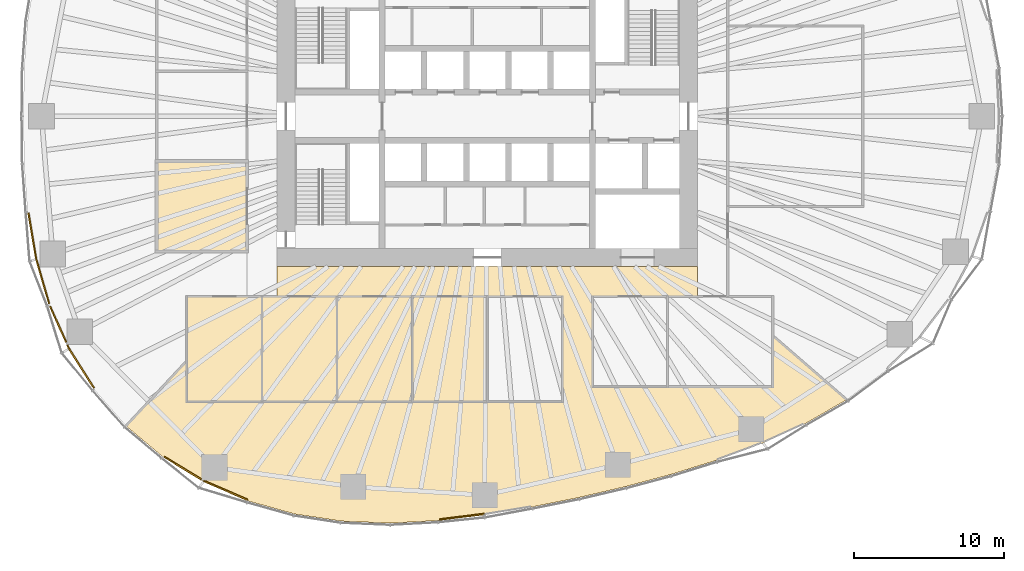
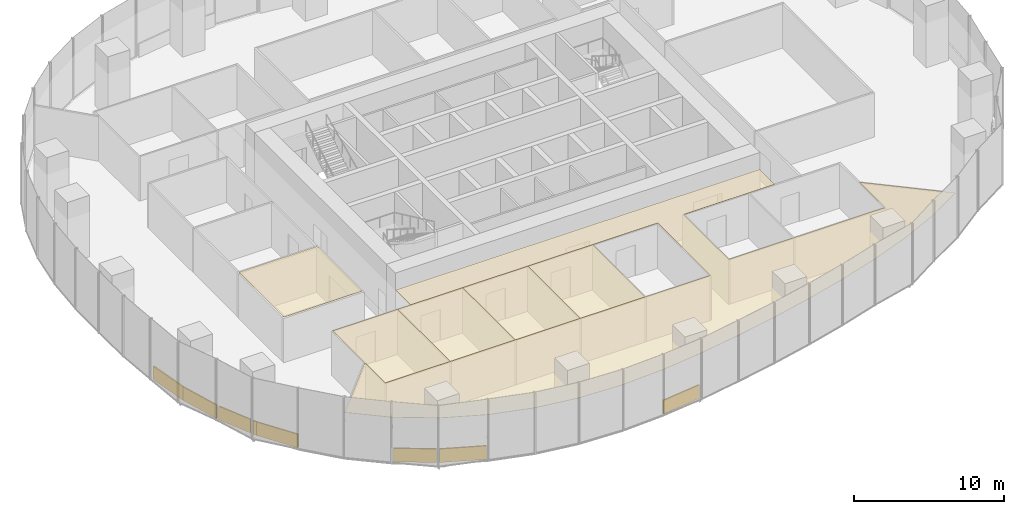
# One storey, part 17 of 20: 14 coverings.
"""IFC4 building model written with IfcOpenShell, lengths in metres."""

import ifcopenshell
import ifcopenshell.guid

model = None  # the IFC model being written
_history = None  # IfcOwnerHistory: only IFC2X3 demands one
_inside = {}  # id of a spatial element -> (the spatial element, [elements in it])
_under = {}  # id of a project, library or spatial element -> (it, [spatial elements below it])
_declared = {}  # id of a project -> (the project, [libraries it declares])
_typed = {}  # id of a type object -> (the type object, [elements of that type])
_made_of = {}  # id of a material, layer set ... -> (it, [elements and type objects made of it])


def new_model(schema):
    """Start an empty IFC model of exactly this schema.

    Asked for "IFC4X3", IfcOpenShell would pick the latest addendum, in which some entities
    have other attributes; the version numbers below select the first issue.
    IFC2X3 requires an IfcOwnerHistory on every rooted entity: one is made here for all.
    """
    global model, _history
    if schema == "IFC4X3":
        model = ifcopenshell.file(schema_version=(4, 3, 0, 0))
    else:
        model = ifcopenshell.file(schema=schema)
    _inside.clear()
    _under.clear()
    _declared.clear()
    _typed.clear()
    _made_of.clear()
    _history = None
    if model.schema == "IFC2X3":
        org = make("IfcOrganization", Name="unknown")
        user = make(
            "IfcPersonAndOrganization",
            ThePerson=make("IfcPerson", FamilyName="unknown"),
            TheOrganization=org,
        )
        app = make(
            "IfcApplication",
            ApplicationDeveloper=org,
            Version="unknown",
            ApplicationFullName="unknown",
            ApplicationIdentifier="unknown",
        )
        _history = make(
            "IfcOwnerHistory",
            OwningUser=user,
            OwningApplication=app,
            ChangeAction="ADDED",
            CreationDate=0,
        )
    return model


def make(cls, **values):
    """One entity of the class cls with the attributes given. An attribute that is None is left unset."""
    return model.create_entity(
        cls, **{name: value for name, value in values.items() if value is not None}
    )


def rooted(cls, **values):
    """An entity with a GlobalId (a new one), such as an element, a storey or a relation."""
    return make(cls, GlobalId=ifcopenshell.guid.new(), OwnerHistory=_history, **values)


def si_unit(unit_type, name, prefix=None):
    """IfcSIUnit, for example si_unit("LENGTHUNIT", "METRE", prefix="MILLI")."""
    return make("IfcSIUnit", UnitType=unit_type, Prefix=prefix, Name=name)


def assignment(units):
    """IfcUnitAssignment: the units of a project."""
    return None if units is None else make("IfcUnitAssignment", Units=units)


def point(xyz):
    """IfcCartesianPoint."""
    return None if xyz is None else make("IfcCartesianPoint", Coordinates=xyz)


def direction(xyz):
    """IfcDirection."""
    return None if xyz is None else make("IfcDirection", DirectionRatios=xyz)


def frame(location, z_axis=None, x_axis=None):
    """IfcAxis2Placement3D, a coordinate frame: its origin and axes. An axis left out is left unset."""
    return make(
        "IfcAxis2Placement3D",
        Location=point(location),
        Axis=direction(z_axis),
        RefDirection=direction(x_axis),
    )


def frame_2d(location, x_axis=None):
    """IfcAxis2Placement2D, a coordinate frame in the plane: its origin and x axis."""
    return make(
        "IfcAxis2Placement2D", Location=point(location), RefDirection=direction(x_axis)
    )


def origin():
    """The frame at (0, 0, 0) with its axes left unset."""
    return frame((0.0, 0.0, 0.0))


def origin_2d():
    """The frame at (0, 0) in the plane with its x axis left unset."""
    return frame_2d((0.0, 0.0))


def place(relative_to, where):
    """IfcLocalPlacement: puts the frame where relative to a parent placement (None: the world)."""
    return make(
        "IfcLocalPlacement", PlacementRelTo=relative_to, RelativePlacement=where
    )


def context(
    kind, dimensions, precision=None, world=None, true_north=None, identifier=None
):
    """IfcGeometricRepresentationContext, for example the 3D "Model" context."""
    return make(
        "IfcGeometricRepresentationContext",
        ContextIdentifier=identifier,
        ContextType=kind,
        CoordinateSpaceDimension=dimensions,
        Precision=precision,
        WorldCoordinateSystem=world,
        TrueNorth=true_north,
    )


def subcontext(parent, identifier, kind, view, scale=None):
    """IfcGeometricRepresentationSubContext, for example "Body" below "Model"."""
    return make(
        "IfcGeometricRepresentationSubContext",
        ContextIdentifier=identifier,
        ContextType=kind,
        ParentContext=parent,
        TargetScale=scale,
        TargetView=view,
    )


def project(units=None, contexts=None):
    """IfcProject with its units and contexts."""
    return rooted(
        "IfcProject",
        Name="project",
        RepresentationContexts=contexts,
        UnitsInContext=assignment(units),
    )


def spatial(cls, under=None, at=None, **own):
    """A site, building, storey or space (cls), placed at a placement, below another one or the project."""
    s = rooted(cls, ObjectPlacement=at, **own)
    if under is not None:
        _under.setdefault(under.id(), (under, []))[1].append(s)
    return s


def polyline(points):
    """IfcPolyline through the points."""
    return make("IfcPolyline", Points=[point(p) for p in points])


def profile(cls, at=None, kind="AREA", **sizes):
    """A parametric profile (cls). Its sizes go by their IFC names, for example OverallWidth=200.0."""
    return make(cls, ProfileType=kind, Position=at, **sizes)


def rectangle(**sizes):
    """IfcRectangleProfileDef."""
    return profile("IfcRectangleProfileDef", **sizes)


def outline(outer, holes=None, kind="AREA"):
    """IfcArbitraryClosedProfileDef: a profile drawn as a closed curve; with holes, ...WithVoids."""
    if holes is None:
        return make("IfcArbitraryClosedProfileDef", ProfileType=kind, OuterCurve=outer)
    return make(
        "IfcArbitraryProfileDefWithVoids",
        ProfileType=kind,
        OuterCurve=outer,
        InnerCurves=holes,
    )


def extrude(swept, where, along, depth):
    """IfcExtrudedAreaSolid: the profile swept, set in the frame where, extruded along a direction by depth."""
    return make(
        "IfcExtrudedAreaSolid",
        SweptArea=swept,
        Position=where,
        ExtrudedDirection=direction(along),
        Depth=depth,
    )


def shape(context_of_items, identifier, shape_type, items):
    """IfcShapeRepresentation: the items that make up one representation, for example the "Body"."""
    return make(
        "IfcShapeRepresentation",
        ContextOfItems=context_of_items,
        RepresentationIdentifier=identifier,
        RepresentationType=shape_type,
        Items=items,
    )


def material(Name=None, Category=None):
    """IfcMaterial."""
    return make("IfcMaterial", Name=Name, Category=Category)


def layer(
    of_material, thickness, ventilated=None, Name=None, Category=None, Priority=None
):
    """IfcMaterialLayer: one layer of a wall or slab, of a material (None: an air gap)."""
    return make(
        "IfcMaterialLayer",
        Material=of_material,
        LayerThickness=thickness,
        IsVentilated=ventilated,
        Name=Name,
        Category=Category,
        Priority=Priority,
    )


def layer_set(layers, Name=None):
    """IfcMaterialLayerSet."""
    return make("IfcMaterialLayerSet", MaterialLayers=layers, LayerSetName=Name)


def made_of(thing, what):
    """Note that an element or type object is made of a material, layer set ...; save() writes the relation."""
    if what is not None:
        _made_of.setdefault(what.id(), (what, []))[1].append(thing)
    return thing


def type_object(cls, material=None, **own):
    """A type object (cls), such as IfcWallType, which elements share."""
    return made_of(rooted(cls, **own), material)


def element(
    cls,
    number,
    at=None,
    inside=None,
    cuts=None,
    type_object=None,
    material=None,
    context=None,
    identifier="Body",
    shape_type=None,
    held_by="IfcProductDefinitionShape",
    body=None,
    shapes=None,
    **own,
):
    """One element of the class cls, such as IfcWall. Its Tag is "e" and its number.

    at: its placement. inside: the storey or other place that contains it. cuts: it is an
    opening in that element (IfcRelVoidsElement). A single representation is given by context,
    identifier, shape_type and body (its items); several are given by shapes. held_by: the class
    of the entity that holds the representations. save() writes the other relations.
    """
    e = rooted(cls, Tag="e%d" % number, ObjectPlacement=at, **own)
    if body is not None:
        shapes = [shape(context, identifier, shape_type, body)]
    if shapes is not None:
        e.Representation = make(held_by, Representations=shapes)
    if inside is not None:
        _inside.setdefault(inside.id(), (inside, []))[1].append(e)
    if cuts is not None:
        rooted(
            "IfcRelVoidsElement", RelatingBuildingElement=cuts, RelatedOpeningElement=e
        )
    if type_object is not None:
        _typed.setdefault(type_object.id(), (type_object, []))[1].append(e)
    return made_of(e, material)


def aggregate(whole, parts):
    """IfcRelAggregates: a whole, such as a stair, and the parts it consists of."""
    return rooted("IfcRelAggregates", RelatingObject=whole, RelatedObjects=parts)


def save(model, path):
    """Write the relations noted so far, then the file.

    IfcRelAggregates (storeys below a building ...), IfcRelContainedInSpatialStructure (elements
    in a storey), IfcRelDefinesByType, IfcRelAssociatesMaterial and IfcRelDeclares: one each for
    every whole, place, type object, material and project.
    """
    for whole, parts in _under.values():
        aggregate(whole, parts)
    for where, things in _inside.values():
        rooted(
            "IfcRelContainedInSpatialStructure",
            RelatedElements=things,
            RelatingStructure=where,
        )
    for kind, things in _typed.values():
        rooted("IfcRelDefinesByType", RelatedObjects=things, RelatingType=kind)
    for what, things in _made_of.values():
        rooted("IfcRelAssociatesMaterial", RelatedObjects=things, RelatingMaterial=what)
    for by, libraries in _declared.values():
        rooted("IfcRelDeclares", RelatingContext=by, RelatedDefinitions=libraries)
    model.write(path)


model = new_model("IFC4")

# Units and contexts
model_context = context("Model", 3, precision=1e-05, world=origin(), true_north=direction((0.0, 1.0)))
body_context = subcontext(model_context, "Body", "Model", "MODEL_VIEW")
ifc_project = project(units=[si_unit("LENGTHUNIT", "METRE"), si_unit("AREAUNIT", "SQUARE_METRE"), si_unit("VOLUMEUNIT", "CUBIC_METRE"), si_unit("PLANEANGLEUNIT", "RADIAN"), si_unit("MASSUNIT", "GRAM", prefix="KILO")], contexts=[model_context])

# Site, building, storey
site_placement = place(None, origin())
site = spatial("IfcSite", under=ifc_project, at=site_placement, CompositionType="ELEMENT")
building_placement = place(site_placement, origin())
building = spatial("IfcBuilding", under=site, at=building_placement, Name="Ghaith Harvest Tower", CompositionType="ELEMENT")
storey_placement = place(building_placement, frame((0.0, 0.0, 55.0)))
storey = spatial("IfcBuildingStorey", under=building, at=storey_placement, Name="L11", CompositionType="ELEMENT", Elevation=55.0)

# Coverings
ifc_material_1 = material(Name="Mineral fibre ceiling tile", Category="gypsum")
ifc_layer_1 = layer(ifc_material_1, 0.02490234375)
ifc_layer_set_1 = layer_set([ifc_layer_1], Name="CEILING C2")
covering_type_1 = type_object("IfcCoveringType", Name="CEILING C2", PredefinedType="CEILING", material=ifc_layer_set_1)
covering_1_placement = place(storey_placement, frame((0.0, 0.0, 3.60009765625)))
element("IfcCovering", 1, at=covering_1_placement, inside=storey, type_object=covering_type_1, Name="Ceiling L11-01", PredefinedType="CEILING", context=body_context, shape_type="SweptSolid", body=[
    extrude(outline(polyline([(-20.0, -19.0), (-15.0, -19.0), (-15.0, -12.0), (-20.0, -12.0), (-20.0, -19.0)])), origin(), (0.0, 0.0, 1.0), 0.02490234375),
])
covering_2_placement = place(storey_placement, frame((0.0, 0.0, 3.60009765625)))
element("IfcCovering", 2, at=covering_2_placement, inside=storey, type_object=covering_type_1, Name="Ceiling L11-02", PredefinedType="CEILING", context=body_context, shape_type="SweptSolid", body=[
    extrude(outline(polyline([(-15.0, -19.0), (-10.0, -19.0), (-10.0, -12.0), (-15.0, -12.0), (-15.0, -19.0)])), origin(), (0.0, 0.0, 1.0), 0.02490234375),
])
covering_3_placement = place(storey_placement, frame((0.0, 0.0, 3.60009765625)))
element("IfcCovering", 3, at=covering_3_placement, inside=storey, type_object=covering_type_1, Name="Ceiling L11-03", PredefinedType="CEILING", context=body_context, shape_type="SweptSolid", body=[
    extrude(outline(polyline([(-10.0, -19.0), (-5.0, -19.0), (-5.0, -12.0), (-10.0, -12.0), (-10.0, -19.0)])), origin(), (0.0, 0.0, 1.0), 0.02490234375),
])
covering_4_placement = place(storey_placement, frame((0.0, 0.0, 3.60009765625)))
element("IfcCovering", 4, at=covering_4_placement, inside=storey, type_object=covering_type_1, Name="Ceiling L11-04", PredefinedType="CEILING", context=body_context, shape_type="SweptSolid", body=[
    extrude(outline(polyline([(-5.0, -19.0), (0.0, -19.0), (0.0, -12.0), (-5.0, -12.0), (-5.0, -19.0)])), origin(), (0.0, 0.0, 1.0), 0.02490234375),
])
covering_5_placement = place(storey_placement, frame((0.0, 0.0, 3.60009765625)))
element("IfcCovering", 5, at=covering_5_placement, inside=storey, type_object=covering_type_1, Name="Ceiling L11-14", PredefinedType="CEILING", context=body_context, shape_type="SweptSolid", body=[
    extrude(outline(polyline([(-22.0, -9.0), (-16.0, -9.0), (-16.0, -3.0), (-22.0, -3.0), (-22.0, -9.0)])), origin(), (0.0, 0.0, 1.0), 0.02490234375),
])
covering_6_placement = place(storey_placement, frame((0.0, 0.0, 3.60009765625)))
element("IfcCovering", 6, at=covering_6_placement, inside=storey, type_object=covering_type_1, Name="Ceiling L11-S1", PredefinedType="CEILING", context=body_context, shape_type="SweptSolid", body=[
    extrude(outline(polyline([(-15.907958984375, -25.614501953125), (-18.8935546875, -24.32763671875), (-21.59912109375, -22.671142578125), (-24.04833984375, -20.618408203125), (-20.0, -16.283203125), (-20.0, -19.0), (5.0, -19.0), (5.0, -12.0), (-14.0, -12.0), (-14.0, -10.0), (14.0, -10.0), (14.0, -12.0), (7.0, -12.0), (7.0, -18.0), (19.0, -18.0), (19.0, -14.60205078125), (23.92431640625, -18.873046875), (21.149169921875, -20.469482421875), (18.34521484375, -21.7548828125), (15.22119140625, -22.916259765625), (12.1796875, -23.857666015625), (9.21533203125, -24.65087890625), (6.10888671875, -25.378662109375), (2.99560546875, -26.004150390625), (-0.181396484375, -26.527099609375), (-3.24755859375, -26.91064453125), (-6.4375, -27.0849609375), (-9.733642578125, -26.949951171875), (-12.828125, -26.476806640625), (-15.907958984375, -25.614501953125)])), origin(), (0.0, 0.0, 1.0), 0.02490234375),
])
ifc_material_2 = material(Name="Insulated aluminium spandrel panel on steel framing", Category="steel")
ifc_layer_2 = layer(ifc_material_2, 0.10009765625)
ifc_layer_set_2 = layer_set([ifc_layer_2], Name="SLAB EDGE UPSTAND 1100x100")
covering_type_2 = type_object("IfcCoveringType", Name="SLAB EDGE UPSTAND 1100x100", PredefinedType="CLADDING", material=ifc_layer_set_2)
covering_7_placement = place(storey_placement, frame((-30.28271484375, -7.982177734375, 0.0), z_axis=(0.0, 0.0, 1.0), x_axis=(0.165246181786, -0.986252350773, 0.0)))
element("IfcCovering", 7, at=covering_7_placement, inside=storey, type_object=covering_type_2, Name="Slab edge upstand 3 bay 11 L11", PredefinedType="CLADDING", context=body_context, shape_type="SweptSolid", body=[
    extrude(rectangle(XDim=3.124267578125, YDim=0.10009765625, at=origin_2d()), origin(), (0.0, 0.0, 1.0), 1.10009765625),
])
covering_8_placement = place(storey_placement, frame((-29.593994140625, -10.997314453125, 0.0), z_axis=(0.0, 0.0, 1.0), x_axis=(0.280032411303, -0.95999054611, 0.0)))
element("IfcCovering", 8, at=covering_8_placement, inside=storey, type_object=covering_type_2, Name="Slab edge upstand 1 bay 12 L11", PredefinedType="CLADDING", context=body_context, shape_type="SweptSolid", body=[
    extrude(rectangle(XDim=3.084228515625, YDim=0.10009765625, at=origin_2d()), origin(), (0.0, 0.0, 1.0), 1.10009765625),
])
covering_9_placement = place(storey_placement, frame((-28.56689453125, -13.84619140625, 0.0), z_axis=(0.0, 0.0, 1.0), x_axis=(0.407003427802, -0.913426630747, 0.0)))
element("IfcCovering", 9, at=covering_9_placement, inside=storey, type_object=covering_type_2, Name="Slab edge upstand 2 bay 12 L11", PredefinedType="CLADDING", context=body_context, shape_type="SweptSolid", body=[
    extrude(rectangle(XDim=2.60009765625, YDim=0.10009765625, at=origin_2d()), origin(), (0.0, 0.0, 1.0), 1.10009765625),
])
covering_10_placement = place(storey_placement, frame((-27.89501953125, -15.35400390625, 0.0), z_axis=(0.0, 0.0, 1.0), x_axis=(0.407003427802, -0.913426630747, 0.0)))
element("IfcCovering", 10, at=covering_10_placement, inside=storey, type_object=covering_type_2, Name="Slab edge upstand 2 bay 12 L11", PredefinedType="CLADDING", context=body_context, shape_type="SweptSolid", body=[
    extrude(rectangle(XDim=0.29052734375, YDim=0.10009765625, at=origin_2d()), origin(), (0.0, 0.0, 1.0), 1.10009765625),
])
covering_11_placement = place(storey_placement, frame((-27.0078125, -16.787353515625, 0.0), z_axis=(0.0, 0.0, 1.0), x_axis=(0.536807372204, -0.843704832952, 0.0)))
element("IfcCovering", 11, at=covering_11_placement, inside=storey, type_object=covering_type_2, Name="Slab edge upstand 3 bay 12 L11", PredefinedType="CLADDING", context=body_context, shape_type="SweptSolid", body=[
    extrude(rectangle(XDim=3.098388671875, YDim=0.10009765625, at=origin_2d()), origin(), (0.0, 0.0, 1.0), 1.10009765625),
])
covering_12_placement = place(storey_placement, frame((-20.265869140625, -23.4287109375, 0.0), z_axis=(0.0, 0.0, 1.0), x_axis=(0.852846651269, -0.522161459148, 0.0)))
element("IfcCovering", 12, at=covering_12_placement, inside=storey, type_object=covering_type_2, Name="Slab edge upstand 3 bay 13 L11", PredefinedType="CLADDING", context=body_context, shape_type="SweptSolid", body=[
    extrude(rectangle(XDim=2.864990234375, YDim=0.10009765625, at=origin_2d()), origin(), (0.0, 0.0, 1.0), 1.10009765625),
])
covering_13_placement = place(storey_placement, frame((-17.421875, -24.907470703125, 0.0), z_axis=(0.0, 0.0, 1.0), x_axis=(0.918306928324, -0.395869151856, 0.0)))
element("IfcCovering", 13, at=covering_13_placement, inside=storey, type_object=covering_type_2, Name="Slab edge upstand 1 bay 14 L11", PredefinedType="CLADDING", context=body_context, shape_type="SweptSolid", body=[
    extrude(rectangle(XDim=3.140380859375, YDim=0.10009765625, at=origin_2d()), origin(), (0.0, 0.0, 1.0), 1.10009765625),
])
covering_14_placement = place(storey_placement, frame((-1.671142578125, -26.6630859375, 0.0), z_axis=(0.0, 0.0, 1.0), x_axis=(0.992264868881, 0.124138752952, 0.0)))
element("IfcCovering", 14, at=covering_14_placement, inside=storey, type_object=covering_type_2, Name="Slab edge upstand 3 bay 15 L11", PredefinedType="CLADDING", context=body_context, shape_type="SweptSolid", body=[
    extrude(rectangle(XDim=2.98974609375, YDim=0.10009765625, at=origin_2d()), origin(), (0.0, 0.0, 1.0), 1.10009765625),
])

save(model, "model.ifc")
